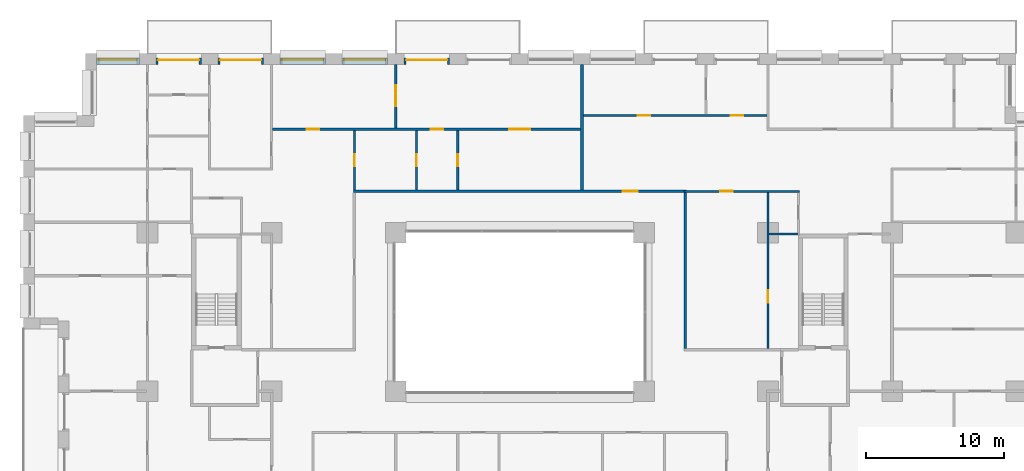
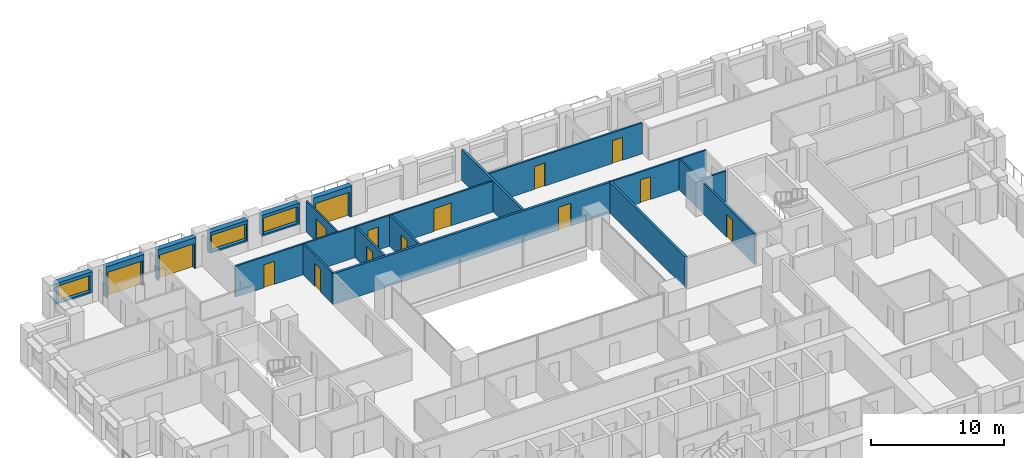
# One storey, part 14 of 20: 18 walls, 15 doors, 3 windows, 18 openings.
"""IFC4 building model written with IfcOpenShell, lengths in metres."""

from ifc_helpers import new_model, si_unit, direction, frame, frame_2d, origin, place, context, subcontext, project, spatial, rectangle, extrude, material, layer, layer_set, type_object, element, fill, save


model = new_model("IFC4")

# Units and contexts
model_context = context("Model", 3, precision=1e-05, world=origin(), true_north=direction((0.0, 1.0)))
body_context = subcontext(model_context, "Body", "Model", "MODEL_VIEW")
ifc_project = project(units=[si_unit("LENGTHUNIT", "METRE"), si_unit("AREAUNIT", "SQUARE_METRE"), si_unit("VOLUMEUNIT", "CUBIC_METRE"), si_unit("PLANEANGLEUNIT", "RADIAN"), si_unit("MASSUNIT", "GRAM", prefix="KILO")], contexts=[model_context])

# Site, building, storey
site_placement = place(None, origin())
site = spatial("IfcSite", under=ifc_project, at=site_placement, CompositionType="ELEMENT")
building_placement = place(site_placement, origin())
building = spatial("IfcBuilding", under=site, at=building_placement, Name="Brigalow Station Residences", CompositionType="ELEMENT")
storey_placement = place(building_placement, frame((0.0, 0.0, 60.449951171875)))
storey = spatial("IfcBuildingStorey", under=building, at=storey_placement, Name="L17", CompositionType="ELEMENT", Elevation=60.449951171875)

# Wall, opening, door
ifc_material_1 = material(Name="Clay brick masonry", Category="masonry")
ifc_layer_1 = layer(ifc_material_1, 0.449951171875)
ifc_layer_set_1 = layer_set([ifc_layer_1], Name="BRICK INFILL WALL 450")
wall_type_1 = type_object("IfcWallType", Name="BRICK INFILL WALL 450", PredefinedType="SOLIDWALL", material=ifc_layer_set_1)
wall_1_placement = place(storey_placement, frame((30.89990234375, 47.925048828125, 0.0), z_axis=(0.0, 0.0, 1.0), x_axis=(-1.0, 0.0, 0.0)))
wall_1 = element("IfcWall", 1, at=wall_1_placement, inside=storey, type_object=wall_type_1, Name="L17/ewall/W-L17-34", PredefinedType="SOLIDWALL", context=body_context, shape_type="SweptSolid", body=[
    extrude(rectangle(XDim=3.2998046875, YDim=0.449951171875, at=frame_2d((1.64990234375, 0.0))), origin(), (0.0, 0.0, 1.0), 2.830078125),
])
opening_1_placement = place(wall_1_placement, frame((0.14990234375, 0.0, 0.0)))
opening_1 = element("IfcOpeningElement", 2, at=opening_1_placement, cuts=wall_1, Name="Opening D-B3000", PredefinedType="OPENING", context=body_context, shape_type="SweptSolid", body=[
    extrude(rectangle(XDim=3.0, YDim=2.300048828125, at=frame_2d((1.5, 1.14990234375))), frame((0.0, 0.23486328125, 0.0), z_axis=(0.0, -1.0, 0.0), x_axis=(1.0, 0.0, 0.0)), (0.0, 0.0, 1.0), 0.469970703125),
])
ifc_material_2 = material(Name="Anodised aluminium frame with double glazing", Category="aluminium")
door_type_1 = type_object("IfcDoorType", Name="BALCONY SLIDING DOOR 3000x2300", OperationType="SLIDING_TO_LEFT", PredefinedType="DOOR", material=ifc_material_2)
door_1_placement = place(opening_1_placement, origin())
door_1 = element("IfcDoor", 3, at=door_1_placement, inside=storey, type_object=door_type_1, Name="L17/balcony-door/W-L17-34", OperationType="SLIDING_TO_LEFT", OverallHeight=2.300048828125, OverallWidth=3.0, PredefinedType="DOOR", context=body_context, shape_type="SweptSolid", body=[
    extrude(rectangle(XDim=3.0, YDim=2.300048828125, at=frame_2d((1.5, 1.14990234375))), frame((0.0, -0.06982421875, 0.0), z_axis=(0.0, -1.0, 0.0), x_axis=(1.0, 0.0, 0.0)), (0.0, 0.0, 1.0), 0.050048828125),
])
fill(opening_1, door_1)

# Wall, opening, window
wall_2_placement = place(storey_placement, frame((26.39990234375, 47.925048828125, 0.900146484375), z_axis=(0.0, 0.0, 1.0), x_axis=(-1.0, 0.0, 0.0)))
wall_2 = element("IfcWall", 4, at=wall_2_placement, inside=storey, type_object=wall_type_1, Name="L17/ewall/W-L17-35", PredefinedType="SOLIDWALL", context=body_context, shape_type="SweptSolid", body=[
    extrude(rectangle(XDim=3.2998046875, YDim=0.449951171875, at=frame_2d((1.64990234375, 0.0))), origin(), (0.0, 0.0, 1.0), 1.929931640625),
])
opening_2_placement = place(wall_2_placement, frame((0.14990234375, 0.0, 0.14990234375)))
opening_2 = element("IfcOpeningElement", 5, at=opening_2_placement, cuts=wall_2, Name="Opening WT-2", PredefinedType="OPENING", context=body_context, shape_type="SweptSolid", body=[
    extrude(rectangle(XDim=3.0, YDim=1.5, at=frame_2d((1.5, 0.75))), frame((0.0, 0.23486328125, 0.0), z_axis=(0.0, -1.0, 0.0), x_axis=(1.0, 0.0, 0.0)), (0.0, 0.0, 1.0), 0.469970703125),
])
ifc_material_3 = material(Name="Anodised aluminium frame with double glazing", Category="aluminium")
window_type_1 = type_object("IfcWindowType", Name="WINDOW 3000x1500", PartitioningType="SINGLE_PANEL", PredefinedType="WINDOW", material=ifc_material_3)
window_1_placement = place(opening_2_placement, origin())
window_1 = element("IfcWindow", 6, at=window_1_placement, inside=storey, type_object=window_type_1, Name="L17/window/W-L17-35", OverallHeight=1.5, OverallWidth=3.0, PartitioningType="SINGLE_PANEL", PredefinedType="WINDOW", context=body_context, shape_type="SweptSolid", body=[
    extrude(rectangle(XDim=3.0, YDim=1.5, at=frame_2d((1.5, 0.75))), frame((0.0, -0.06494140625, 0.0), z_axis=(0.0, -1.0, 0.0), x_axis=(1.0, 0.0, 0.0)), (0.0, 0.0, 1.0), 0.06005859375),
])
fill(opening_2, window_1)

wall_3_placement = place(storey_placement, frame((21.89990234375, 47.925048828125, 0.900146484375), z_axis=(0.0, 0.0, 1.0), x_axis=(-1.0, 0.0, 0.0)))
wall_3 = element("IfcWall", 7, at=wall_3_placement, inside=storey, type_object=wall_type_1, Name="L17/ewall/W-L17-36", PredefinedType="SOLIDWALL", context=body_context, shape_type="SweptSolid", body=[
    extrude(rectangle(XDim=3.2998046875, YDim=0.449951171875, at=frame_2d((1.64990234375, 0.0))), origin(), (0.0, 0.0, 1.0), 1.929931640625),
])
opening_3_placement = place(wall_3_placement, frame((0.14990234375, 0.0, 0.14990234375)))
opening_3 = element("IfcOpeningElement", 8, at=opening_3_placement, cuts=wall_3, Name="Opening WT-2", PredefinedType="OPENING", context=body_context, shape_type="SweptSolid", body=[
    extrude(rectangle(XDim=3.0, YDim=1.5, at=frame_2d((1.5, 0.75))), frame((0.0, 0.23486328125, 0.0), z_axis=(0.0, -1.0, 0.0), x_axis=(1.0, 0.0, 0.0)), (0.0, 0.0, 1.0), 0.469970703125),
])
window_2_placement = place(opening_3_placement, origin())
window_2 = element("IfcWindow", 9, at=window_2_placement, inside=storey, type_object=window_type_1, Name="L17/window/W-L17-36", OverallHeight=1.5, OverallWidth=3.0, PartitioningType="SINGLE_PANEL", PredefinedType="WINDOW", context=body_context, shape_type="SweptSolid", body=[
    extrude(rectangle(XDim=3.0, YDim=1.5, at=frame_2d((1.5, 0.75))), frame((0.0, -0.06494140625, 0.0), z_axis=(0.0, -1.0, 0.0), x_axis=(1.0, 0.0, 0.0)), (0.0, 0.0, 1.0), 0.06005859375),
])
fill(opening_3, window_2)

# Wall, opening, door
wall_4_placement = place(storey_placement, frame((17.39990234375, 47.925048828125, 0.0), z_axis=(0.0, 0.0, 1.0), x_axis=(-1.0, 0.0, 0.0)))
wall_4 = element("IfcWall", 10, at=wall_4_placement, inside=storey, type_object=wall_type_1, Name="L17/ewall/W-L17-37", PredefinedType="SOLIDWALL", context=body_context, shape_type="SweptSolid", body=[
    extrude(rectangle(XDim=3.2998046875, YDim=0.449951171875, at=frame_2d((1.64990234375, 0.0))), origin(), (0.0, 0.0, 1.0), 2.830078125),
])
opening_4_placement = place(wall_4_placement, frame((0.14990234375, 0.0, 0.0)))
opening_4 = element("IfcOpeningElement", 11, at=opening_4_placement, cuts=wall_4, Name="Opening D-B3000", PredefinedType="OPENING", context=body_context, shape_type="SweptSolid", body=[
    extrude(rectangle(XDim=3.0, YDim=2.300048828125, at=frame_2d((1.5, 1.14990234375))), frame((0.0, 0.23486328125, 0.0), z_axis=(0.0, -1.0, 0.0), x_axis=(1.0, 0.0, 0.0)), (0.0, 0.0, 1.0), 0.469970703125),
])
door_2_placement = place(opening_4_placement, origin())
door_2 = element("IfcDoor", 12, at=door_2_placement, inside=storey, type_object=door_type_1, Name="L17/balcony-door/W-L17-37", OperationType="SLIDING_TO_LEFT", OverallHeight=2.300048828125, OverallWidth=3.0, PredefinedType="DOOR", context=body_context, shape_type="SweptSolid", body=[
    extrude(rectangle(XDim=3.0, YDim=2.300048828125, at=frame_2d((1.5, 1.14990234375))), frame((0.0, -0.06982421875, 0.0), z_axis=(0.0, -1.0, 0.0), x_axis=(1.0, 0.0, 0.0)), (0.0, 0.0, 1.0), 0.050048828125),
])
fill(opening_4, door_2)

wall_5_placement = place(storey_placement, frame((12.89990234375, 47.925048828125, 0.0), z_axis=(0.0, 0.0, 1.0), x_axis=(-1.0, 0.0, 0.0)))
wall_5 = element("IfcWall", 13, at=wall_5_placement, inside=storey, type_object=wall_type_1, Name="L17/ewall/W-L17-38", PredefinedType="SOLIDWALL", context=body_context, shape_type="SweptSolid", body=[
    extrude(rectangle(XDim=3.2998046875, YDim=0.449951171875, at=frame_2d((1.64990234375, 0.0))), origin(), (0.0, 0.0, 1.0), 2.830078125),
])
opening_5_placement = place(wall_5_placement, frame((0.14990234375, 0.0, 0.0)))
opening_5 = element("IfcOpeningElement", 14, at=opening_5_placement, cuts=wall_5, Name="Opening D-B3000", PredefinedType="OPENING", context=body_context, shape_type="SweptSolid", body=[
    extrude(rectangle(XDim=3.0, YDim=2.300048828125, at=frame_2d((1.5, 1.14990234375))), frame((0.0, 0.23486328125, 0.0), z_axis=(0.0, -1.0, 0.0), x_axis=(1.0, 0.0, 0.0)), (0.0, 0.0, 1.0), 0.469970703125),
])
door_3_placement = place(opening_5_placement, origin())
door_3 = element("IfcDoor", 15, at=door_3_placement, inside=storey, type_object=door_type_1, Name="L17/balcony-door/W-L17-38", OperationType="SLIDING_TO_LEFT", OverallHeight=2.300048828125, OverallWidth=3.0, PredefinedType="DOOR", context=body_context, shape_type="SweptSolid", body=[
    extrude(rectangle(XDim=3.0, YDim=2.300048828125, at=frame_2d((1.5, 1.14990234375))), frame((0.0, -0.06982421875, 0.0), z_axis=(0.0, -1.0, 0.0), x_axis=(1.0, 0.0, 0.0)), (0.0, 0.0, 1.0), 0.050048828125),
])
fill(opening_5, door_3)

# Wall, opening, window
wall_6_placement = place(storey_placement, frame((8.39990234375, 47.925048828125, 0.900146484375), z_axis=(0.0, 0.0, 1.0), x_axis=(-1.0, 0.0, 0.0)))
wall_6 = element("IfcWall", 16, at=wall_6_placement, inside=storey, type_object=wall_type_1, Name="L17/ewall/W-L17-39", PredefinedType="SOLIDWALL", context=body_context, shape_type="SweptSolid", body=[
    extrude(rectangle(XDim=3.099853515625, YDim=0.449951171875, at=frame_2d((1.5498046875, 0.0))), origin(), (0.0, 0.0, 1.0), 1.929931640625),
])
opening_6_placement = place(wall_6_placement, frame((0.175048828125, 0.0, 0.14990234375)))
opening_6 = element("IfcOpeningElement", 17, at=opening_6_placement, cuts=wall_6, Name="Opening WT-3", PredefinedType="OPENING", context=body_context, shape_type="SweptSolid", body=[
    extrude(rectangle(XDim=2.75, YDim=1.5, at=frame_2d((1.375, 0.75))), frame((0.0, 0.23486328125, 0.0), z_axis=(0.0, -1.0, 0.0), x_axis=(1.0, 0.0, 0.0)), (0.0, 0.0, 1.0), 0.469970703125),
])
ifc_material_4 = material(Name="Anodised aluminium frame with double glazing", Category="aluminium")
window_type_2 = type_object("IfcWindowType", Name="WINDOW 2750x1500", PartitioningType="SINGLE_PANEL", PredefinedType="WINDOW", material=ifc_material_4)
window_3_placement = place(opening_6_placement, origin())
window_3 = element("IfcWindow", 18, at=window_3_placement, inside=storey, type_object=window_type_2, Name="L17/window/W-L17-39", OverallHeight=1.5, OverallWidth=2.75, PartitioningType="SINGLE_PANEL", PredefinedType="WINDOW", context=body_context, shape_type="SweptSolid", body=[
    extrude(rectangle(XDim=2.75, YDim=1.5, at=frame_2d((1.375, 0.75))), frame((0.0, -0.06494140625, 0.0), z_axis=(0.0, -1.0, 0.0), x_axis=(1.0, 0.0, 0.0)), (0.0, 0.0, 1.0), 0.06005859375),
])
fill(opening_6, window_3)

# Wall, opening, door
ifc_material_5 = material(Name="Plasterboard on steel stud partition", Category="steel")
ifc_layer_2 = layer(ifc_material_5, 0.14990234375)
ifc_layer_set_2 = layer_set([ifc_layer_2], Name="FLAT PARTITION 150")
wall_type_2 = type_object("IfcWallType", Name="FLAT PARTITION 150", PredefinedType="PARTITIONING", material=ifc_layer_set_2)
wall_7_placement = place(storey_placement, frame((47.89990234375, 38.5, 0.0), z_axis=(0.0, 0.0, 1.0), x_axis=(1.0, 0.0, 0.0)))
wall_7 = element("IfcWall", 19, at=wall_7_placement, inside=storey, type_object=wall_type_2, Name="PW-1F09", PredefinedType="PARTITIONING", context=body_context, shape_type="SweptSolid", body=[
    extrude(rectangle(XDim=8.375, YDim=0.14990234375, at=frame_2d((4.1875, 0.0))), origin(), (0.0, 0.0, 1.0), 2.830078125),
])
opening_7_placement = place(wall_7_placement, frame((2.64990234375, 0.0, 0.0)))
opening_7 = element("IfcOpeningElement", 20, at=opening_7_placement, cuts=wall_7, Name="Opening D-1F42", PredefinedType="OPENING", context=body_context, shape_type="SweptSolid", body=[
    extrude(rectangle(XDim=0.89990234375, YDim=2.10009765625, at=frame_2d((0.449951171875, 1.050048828125))), frame((0.0, 0.0849609375, 0.0), z_axis=(0.0, -1.0, 0.0), x_axis=(1.0, 0.0, 0.0)), (0.0, 0.0, 1.0), 0.169921875),
])
ifc_material_6 = material(Name="Solid-core timber door leaf", Category="wood")
door_type_2 = type_object("IfcDoorType", Name="INTERNAL DOOR 900 x 2100", OperationType="SINGLE_SWING_LEFT", PredefinedType="DOOR", material=ifc_material_6)
door_4_placement = place(opening_7_placement, frame((0.89990234375, 0.0, 0.0), z_axis=(0.0, 0.0, 1.0), x_axis=(-1.0, 0.0, 0.0)))
door_4 = element("IfcDoor", 21, at=door_4_placement, inside=storey, type_object=door_type_2, Name="D-1F42", OperationType="SINGLE_SWING_RIGHT", OverallHeight=2.10009765625, OverallWidth=0.89990234375, PredefinedType="DOOR", context=body_context, shape_type="SweptSolid", body=[
    extrude(rectangle(XDim=0.89990234375, YDim=2.10009765625, at=frame_2d((0.449951171875, 1.050048828125))), frame((0.0, 0.02490234375, 0.0), z_axis=(0.0, -1.0, 0.0), x_axis=(1.0, 0.0, 0.0)), (0.0, 0.0, 1.0), 0.050048828125),
])
fill(opening_7, door_4)

# Wall, openings, doors
wall_8_placement = place(storey_placement, frame((18.074951171875, 43.0, 0.0), z_axis=(0.0, 0.0, 1.0), x_axis=(1.0, 0.0, 0.0)))
wall_8 = element("IfcWall", 22, at=wall_8_placement, inside=storey, type_object=wall_type_2, Name="PW-1F22", PredefinedType="PARTITIONING", context=body_context, shape_type="SweptSolid", body=[
    extrude(rectangle(XDim=22.324951171875, YDim=0.14990234375, at=frame_2d((11.16259765625, 0.0))), origin(), (0.0, 0.0, 1.0), 2.830078125),
])
opening_8_placement = place(wall_8_placement, frame((17.175048828125, 0.0, 0.0)))
opening_8 = element("IfcOpeningElement", 23, at=opening_8_placement, cuts=wall_8, Name="Opening D-1F22", PredefinedType="OPENING", context=body_context, shape_type="SweptSolid", body=[
    extrude(rectangle(XDim=1.5, YDim=2.10009765625, at=frame_2d((0.75, 1.050048828125))), frame((0.0, 0.0849609375, 0.0), z_axis=(0.0, -1.0, 0.0), x_axis=(1.0, 0.0, 0.0)), (0.0, 0.0, 1.0), 0.169921875),
])
opening_9_placement = place(wall_8_placement, frame((11.47509765625, 0.0, 0.0)))
opening_9 = element("IfcOpeningElement", 24, at=opening_9_placement, cuts=wall_8, Name="Opening D-1F24", PredefinedType="OPENING", context=body_context, shape_type="SweptSolid", body=[
    extrude(rectangle(XDim=0.89990234375, YDim=2.10009765625, at=frame_2d((0.449951171875, 1.050048828125))), frame((0.0, 0.0849609375, 0.0), z_axis=(0.0, -1.0, 0.0), x_axis=(1.0, 0.0, 0.0)), (0.0, 0.0, 1.0), 0.169921875),
])
opening_10_placement = place(wall_8_placement, frame((2.47509765625, 0.0, 0.0)))
opening_10 = element("IfcOpeningElement", 25, at=opening_10_placement, cuts=wall_8, Name="Opening D-1F30", PredefinedType="OPENING", context=body_context, shape_type="SweptSolid", body=[
    extrude(rectangle(XDim=0.89990234375, YDim=2.10009765625, at=frame_2d((0.449951171875, 1.050048828125))), frame((0.0, 0.0849609375, 0.0), z_axis=(0.0, -1.0, 0.0), x_axis=(1.0, 0.0, 0.0)), (0.0, 0.0, 1.0), 0.169921875),
])
door_5_placement = place(opening_9_placement, frame((0.89990234375, 0.0, 0.0), z_axis=(0.0, 0.0, 1.0), x_axis=(-1.0, 0.0, 0.0)))
door_5 = element("IfcDoor", 26, at=door_5_placement, inside=storey, type_object=door_type_2, Name="D-1F24", OperationType="SINGLE_SWING_RIGHT", OverallHeight=2.10009765625, OverallWidth=0.89990234375, PredefinedType="DOOR", context=body_context, shape_type="SweptSolid", body=[
    extrude(rectangle(XDim=0.89990234375, YDim=2.10009765625, at=frame_2d((0.449951171875, 1.050048828125))), frame((0.0, 0.02490234375, 0.0), z_axis=(0.0, -1.0, 0.0), x_axis=(1.0, 0.0, 0.0)), (0.0, 0.0, 1.0), 0.050048828125),
])
fill(opening_9, door_5)
door_6_placement = place(opening_10_placement, origin())
door_6 = element("IfcDoor", 27, at=door_6_placement, inside=storey, type_object=door_type_2, Name="D-1F30", OperationType="SINGLE_SWING_LEFT", OverallHeight=2.10009765625, OverallWidth=0.89990234375, PredefinedType="DOOR", context=body_context, shape_type="SweptSolid", body=[
    extrude(rectangle(XDim=0.89990234375, YDim=2.10009765625, at=frame_2d((0.449951171875, 1.050048828125))), frame((0.0, 0.02490234375, 0.0), z_axis=(0.0, -1.0, 0.0), x_axis=(1.0, 0.0, 0.0)), (0.0, 0.0, 1.0), 0.050048828125),
])
fill(opening_10, door_6)
ifc_material_7 = material(Name="Solid-core timber door leaf", Category="wood")
door_type_3 = type_object("IfcDoorType", Name="INTERNAL DOUBLE DOOR 1500 x 2100", OperationType="DOUBLE_DOOR_SINGLE_SWING", PredefinedType="DOOR", material=ifc_material_7)
door_7_placement = place(opening_8_placement, frame((1.5, 0.0, 0.0), z_axis=(0.0, 0.0, 1.0), x_axis=(-1.0, 0.0, 0.0)))
door_7 = element("IfcDoor", 28, at=door_7_placement, inside=storey, type_object=door_type_3, Name="D-1F22", OperationType="DOUBLE_DOOR_SINGLE_SWING", OverallHeight=2.10009765625, OverallWidth=1.5, PredefinedType="DOOR", context=body_context, shape_type="SweptSolid", body=[
    extrude(rectangle(XDim=1.5, YDim=2.10009765625, at=frame_2d((0.75, 1.050048828125))), frame((0.0, 0.02490234375, 0.0), z_axis=(0.0, -1.0, 0.0), x_axis=(1.0, 0.0, 0.0)), (0.0, 0.0, 1.0), 0.050048828125),
])
fill(opening_8, door_7)

# Wall
wall_9_placement = place(storey_placement, frame((54.074951171875, 35.39990234375, 0.0), z_axis=(0.0, 0.0, 1.0), x_axis=(1.0, 0.0, 0.0)))
element("IfcWall", 29, at=wall_9_placement, inside=storey, type_object=wall_type_2, Name="PW-1F26", PredefinedType="PARTITIONING", context=body_context, shape_type="SweptSolid", body=[
    extrude(rectangle(XDim=2.125, YDim=0.14990234375, at=frame_2d((1.0625, 0.0))), origin(), (0.0, 0.0, 1.0), 2.830078125),
])

# Wall, openings, doors
wall_10_placement = place(storey_placement, frame((40.60009765625, 44.0, 0.0), z_axis=(0.0, 0.0, 1.0), x_axis=(1.0, 0.0, 0.0)))
wall_10 = element("IfcWall", 30, at=wall_10_placement, inside=storey, type_object=wall_type_2, Name="PW-1F35", PredefinedType="PARTITIONING", context=body_context, shape_type="SweptSolid", body=[
    extrude(rectangle(XDim=13.324951171875, YDim=0.14990234375, at=frame_2d((6.66259765625, 0.0))), origin(), (0.0, 0.0, 1.0), 2.830078125),
])
opening_11_placement = place(wall_10_placement, frame((10.699951171875, 0.0, 0.0)))
opening_11 = element("IfcOpeningElement", 31, at=opening_11_placement, cuts=wall_10, Name="Opening D-1F39", PredefinedType="OPENING", context=body_context, shape_type="SweptSolid", body=[
    extrude(rectangle(XDim=0.89990234375, YDim=2.10009765625, at=frame_2d((0.449951171875, 1.050048828125))), frame((0.0, 0.0849609375, 0.0), z_axis=(0.0, -1.0, 0.0), x_axis=(1.0, 0.0, 0.0)), (0.0, 0.0, 1.0), 0.169921875),
])
opening_12_placement = place(wall_10_placement, frame((3.949951171875, 0.0, 0.0)))
opening_12 = element("IfcOpeningElement", 32, at=opening_12_placement, cuts=wall_10, Name="Opening D-1F43", PredefinedType="OPENING", context=body_context, shape_type="SweptSolid", body=[
    extrude(rectangle(XDim=0.89990234375, YDim=2.10009765625, at=frame_2d((0.449951171875, 1.050048828125))), frame((0.0, 0.0849609375, 0.0), z_axis=(0.0, -1.0, 0.0), x_axis=(1.0, 0.0, 0.0)), (0.0, 0.0, 1.0), 0.169921875),
])
door_8_placement = place(opening_11_placement, origin())
door_8 = element("IfcDoor", 33, at=door_8_placement, inside=storey, type_object=door_type_2, Name="D-1F39", OperationType="SINGLE_SWING_RIGHT", OverallHeight=2.10009765625, OverallWidth=0.89990234375, PredefinedType="DOOR", context=body_context, shape_type="SweptSolid", body=[
    extrude(rectangle(XDim=0.89990234375, YDim=2.10009765625, at=frame_2d((0.449951171875, 1.050048828125))), frame((0.0, 0.02490234375, 0.0), z_axis=(0.0, -1.0, 0.0), x_axis=(1.0, 0.0, 0.0)), (0.0, 0.0, 1.0), 0.050048828125),
])
fill(opening_11, door_8)
door_9_placement = place(opening_12_placement, origin())
door_9 = element("IfcDoor", 34, at=door_9_placement, inside=storey, type_object=door_type_2, Name="D-1F43", OperationType="SINGLE_SWING_LEFT", OverallHeight=2.10009765625, OverallWidth=0.89990234375, PredefinedType="DOOR", context=body_context, shape_type="SweptSolid", body=[
    extrude(rectangle(XDim=0.89990234375, YDim=2.10009765625, at=frame_2d((0.449951171875, 1.050048828125))), frame((0.0, 0.02490234375, 0.0), z_axis=(0.0, -1.0, 0.0), x_axis=(1.0, 0.0, 0.0)), (0.0, 0.0, 1.0), 0.050048828125),
])
fill(opening_12, door_9)

# Wall, opening, door
wall_11_placement = place(storey_placement, frame((54.0, 27.10009765625, 0.0), z_axis=(0.0, 0.0, 1.0), x_axis=(0.0, 1.0, 0.0)))
wall_11 = element("IfcWall", 35, at=wall_11_placement, inside=storey, type_object=wall_type_2, Name="PW-1F41", PredefinedType="PARTITIONING", context=body_context, shape_type="SweptSolid", body=[
    extrude(rectangle(XDim=11.324951171875, YDim=0.14990234375, at=frame_2d((5.66259765625, 0.0))), origin(), (0.0, 0.0, 1.0), 2.830078125),
])
opening_13_placement = place(wall_11_placement, frame((3.324951171875, 0.0, 0.0)))
opening_13 = element("IfcOpeningElement", 36, at=opening_13_placement, cuts=wall_11, Name="Opening D-1F49", PredefinedType="OPENING", context=body_context, shape_type="SweptSolid", body=[
    extrude(rectangle(XDim=0.89990234375, YDim=2.10009765625, at=frame_2d((0.449951171875, 1.050048828125))), frame((0.0, 0.0849609375, 0.0), z_axis=(0.0, -1.0, 0.0), x_axis=(1.0, 0.0, 0.0)), (0.0, 0.0, 1.0), 0.169921875),
])
door_10_placement = place(opening_13_placement, frame((0.89990234375, 0.0, 0.0), z_axis=(0.0, 0.0, 1.0), x_axis=(-1.0, 0.0, 0.0)))
door_10 = element("IfcDoor", 37, at=door_10_placement, inside=storey, type_object=door_type_2, Name="D-1F49", OperationType="SINGLE_SWING_RIGHT", OverallHeight=2.10009765625, OverallWidth=0.89990234375, PredefinedType="DOOR", context=body_context, shape_type="SweptSolid", body=[
    extrude(rectangle(XDim=0.89990234375, YDim=2.10009765625, at=frame_2d((0.449951171875, 1.050048828125))), frame((0.0, 0.02490234375, 0.0), z_axis=(0.0, -1.0, 0.0), x_axis=(1.0, 0.0, 0.0)), (0.0, 0.0, 1.0), 0.050048828125),
])
fill(opening_13, door_10)

wall_12_placement = place(storey_placement, frame((24.0, 38.60009765625, 0.0), z_axis=(0.0, 0.0, 1.0), x_axis=(0.0, 1.0, 0.0)))
wall_12 = element("IfcWall", 38, at=wall_12_placement, inside=storey, type_object=wall_type_2, Name="PW-1F46", PredefinedType="PARTITIONING", context=body_context, shape_type="SweptSolid", body=[
    extrude(rectangle(XDim=4.324951171875, YDim=0.14990234375, at=frame_2d((2.16259765625, 0.0))), origin(), (0.0, 0.0, 1.0), 2.830078125),
])
opening_14_placement = place(wall_12_placement, frame((1.699951171875, 0.0, 0.0)))
opening_14 = element("IfcOpeningElement", 39, at=opening_14_placement, cuts=wall_12, Name="Opening D-1F28", PredefinedType="OPENING", context=body_context, shape_type="SweptSolid", body=[
    extrude(rectangle(XDim=0.89990234375, YDim=2.10009765625, at=frame_2d((0.449951171875, 1.050048828125))), frame((0.0, 0.0849609375, 0.0), z_axis=(0.0, -1.0, 0.0), x_axis=(1.0, 0.0, 0.0)), (0.0, 0.0, 1.0), 0.169921875),
])
door_11_placement = place(opening_14_placement, frame((0.89990234375, 0.0, 0.0), z_axis=(0.0, 0.0, 1.0), x_axis=(-1.0, 0.0, 0.0)))
door_11 = element("IfcDoor", 40, at=door_11_placement, inside=storey, type_object=door_type_2, Name="D-1F28", OperationType="SINGLE_SWING_RIGHT", OverallHeight=2.10009765625, OverallWidth=0.89990234375, PredefinedType="DOOR", context=body_context, shape_type="SweptSolid", body=[
    extrude(rectangle(XDim=0.89990234375, YDim=2.10009765625, at=frame_2d((0.449951171875, 1.050048828125))), frame((0.0, 0.02490234375, 0.0), z_axis=(0.0, -1.0, 0.0), x_axis=(1.0, 0.0, 0.0)), (0.0, 0.0, 1.0), 0.050048828125),
])
fill(opening_14, door_11)

wall_13_placement = place(storey_placement, frame((27.0, 43.074951171875, 0.0), z_axis=(0.0, 0.0, 1.0), x_axis=(0.0, 1.0, 0.0)))
wall_13 = element("IfcWall", 41, at=wall_13_placement, inside=storey, type_object=wall_type_2, Name="PW-1F64", PredefinedType="PARTITIONING", context=body_context, shape_type="SweptSolid", body=[
    extrude(rectangle(XDim=4.625, YDim=0.14990234375, at=frame_2d((2.3125, 0.0))), origin(), (0.0, 0.0, 1.0), 2.830078125),
])
opening_15_placement = place(wall_13_placement, frame((1.60009765625, 0.0, 0.0)))
opening_15 = element("IfcOpeningElement", 42, at=opening_15_placement, cuts=wall_13, Name="Opening D-1F23", PredefinedType="OPENING", context=body_context, shape_type="SweptSolid", body=[
    extrude(rectangle(XDim=1.5, YDim=2.10009765625, at=frame_2d((0.75, 1.050048828125))), frame((0.0, 0.0849609375, 0.0), z_axis=(0.0, -1.0, 0.0), x_axis=(1.0, 0.0, 0.0)), (0.0, 0.0, 1.0), 0.169921875),
])
door_12_placement = place(opening_15_placement, origin())
door_12 = element("IfcDoor", 43, at=door_12_placement, inside=storey, type_object=door_type_3, Name="D-1F23", OperationType="DOUBLE_DOOR_SINGLE_SWING", OverallHeight=2.10009765625, OverallWidth=1.5, PredefinedType="DOOR", context=body_context, shape_type="SweptSolid", body=[
    extrude(rectangle(XDim=1.5, YDim=2.10009765625, at=frame_2d((0.75, 1.050048828125))), frame((0.0, 0.02490234375, 0.0), z_axis=(0.0, -1.0, 0.0), x_axis=(1.0, 0.0, 0.0)), (0.0, 0.0, 1.0), 0.050048828125),
])
fill(opening_15, door_12)

wall_14_placement = place(storey_placement, frame((28.5, 38.60009765625, 0.0), z_axis=(0.0, 0.0, 1.0), x_axis=(0.0, 1.0, 0.0)))
wall_14 = element("IfcWall", 44, at=wall_14_placement, inside=storey, type_object=wall_type_2, Name="PW-1F65", PredefinedType="PARTITIONING", context=body_context, shape_type="SweptSolid", body=[
    extrude(rectangle(XDim=4.324951171875, YDim=0.14990234375, at=frame_2d((2.16259765625, 0.0))), origin(), (0.0, 0.0, 1.0), 2.830078125),
])
opening_16_placement = place(wall_14_placement, frame((1.699951171875, 0.0, 0.0)))
opening_16 = element("IfcOpeningElement", 45, at=opening_16_placement, cuts=wall_14, Name="Opening D-1F34", PredefinedType="OPENING", context=body_context, shape_type="SweptSolid", body=[
    extrude(rectangle(XDim=0.89990234375, YDim=2.10009765625, at=frame_2d((0.449951171875, 1.050048828125))), frame((0.0, 0.0849609375, 0.0), z_axis=(0.0, -1.0, 0.0), x_axis=(1.0, 0.0, 0.0)), (0.0, 0.0, 1.0), 0.169921875),
])
door_13_placement = place(opening_16_placement, frame((0.89990234375, 0.0, 0.0), z_axis=(0.0, 0.0, 1.0), x_axis=(-1.0, 0.0, 0.0)))
door_13 = element("IfcDoor", 46, at=door_13_placement, inside=storey, type_object=door_type_2, Name="D-1F34", OperationType="SINGLE_SWING_RIGHT", OverallHeight=2.10009765625, OverallWidth=0.89990234375, PredefinedType="DOOR", context=body_context, shape_type="SweptSolid", body=[
    extrude(rectangle(XDim=0.89990234375, YDim=2.10009765625, at=frame_2d((0.449951171875, 1.050048828125))), frame((0.0, 0.02490234375, 0.0), z_axis=(0.0, -1.0, 0.0), x_axis=(1.0, 0.0, 0.0)), (0.0, 0.0, 1.0), 0.050048828125),
])
fill(opening_16, door_13)

wall_15_placement = place(storey_placement, frame((31.5, 38.60009765625, 0.0), z_axis=(0.0, 0.0, 1.0), x_axis=(0.0, 1.0, 0.0)))
wall_15 = element("IfcWall", 47, at=wall_15_placement, inside=storey, type_object=wall_type_2, Name="PW-1F67", PredefinedType="PARTITIONING", context=body_context, shape_type="SweptSolid", body=[
    extrude(rectangle(XDim=4.324951171875, YDim=0.14990234375, at=frame_2d((2.16259765625, 0.0))), origin(), (0.0, 0.0, 1.0), 2.830078125),
])
opening_17_placement = place(wall_15_placement, frame((1.699951171875, 0.0, 0.0)))
opening_17 = element("IfcOpeningElement", 48, at=opening_17_placement, cuts=wall_15, Name="Opening D-1F35", PredefinedType="OPENING", context=body_context, shape_type="SweptSolid", body=[
    extrude(rectangle(XDim=0.89990234375, YDim=2.10009765625, at=frame_2d((0.449951171875, 1.050048828125))), frame((0.0, 0.0849609375, 0.0), z_axis=(0.0, -1.0, 0.0), x_axis=(1.0, 0.0, 0.0)), (0.0, 0.0, 1.0), 0.169921875),
])
door_14_placement = place(opening_17_placement, origin())
door_14 = element("IfcDoor", 49, at=door_14_placement, inside=storey, type_object=door_type_2, Name="D-1F35", OperationType="SINGLE_SWING_LEFT", OverallHeight=2.10009765625, OverallWidth=0.89990234375, PredefinedType="DOOR", context=body_context, shape_type="SweptSolid", body=[
    extrude(rectangle(XDim=0.89990234375, YDim=2.10009765625, at=frame_2d((0.449951171875, 1.050048828125))), frame((0.0, 0.02490234375, 0.0), z_axis=(0.0, -1.0, 0.0), x_axis=(1.0, 0.0, 0.0)), (0.0, 0.0, 1.0), 0.050048828125),
])
fill(opening_17, door_14)

ifc_material_8 = material(Name="Plasterboard on steel stud partition", Category="steel")
ifc_layer_3 = layer(ifc_material_8, 0.199951171875)
ifc_layer_set_3 = layer_set([ifc_layer_3], Name="PARTY AND CORRIDOR WALL 200")
wall_type_3 = type_object("IfcWallType", Name="PARTY AND CORRIDOR WALL 200", PredefinedType="PARTITIONING", material=ifc_layer_set_3)
wall_16_placement = place(storey_placement, frame((23.925048828125, 38.5, 0.0), z_axis=(0.0, 0.0, 1.0), x_axis=(1.0, 0.0, 0.0)))
wall_16 = element("IfcWall", 50, at=wall_16_placement, inside=storey, type_object=wall_type_3, Name="PW-1F10", PredefinedType="PARTITIONING", context=body_context, shape_type="SweptSolid", body=[
    extrude(rectangle(XDim=24.175048828125, YDim=0.199951171875, at=frame_2d((12.08740234375, 0.0))), origin(), (0.0, 0.0, 1.0), 2.830078125),
])
opening_18_placement = place(wall_16_placement, frame((19.52490234375, 0.0, 0.0)))
opening_18 = element("IfcOpeningElement", 51, at=opening_18_placement, cuts=wall_16, Name="Opening D-1F51", PredefinedType="OPENING", context=body_context, shape_type="SweptSolid", body=[
    extrude(rectangle(XDim=1.10009765625, YDim=2.10009765625, at=frame_2d((0.550048828125, 1.050048828125))), frame((0.0, 0.10986328125, 0.0), z_axis=(0.0, -1.0, 0.0), x_axis=(1.0, 0.0, 0.0)), (0.0, 0.0, 1.0), 0.219970703125),
])
ifc_material_9 = material(Name="Solid-core timber door leaf", Category="wood")
door_type_4 = type_object("IfcDoorType", Name="FLAT ENTRANCE DOOR 1100 x 2100 FRL -/60/30", OperationType="SINGLE_SWING_LEFT", PredefinedType="DOOR", material=ifc_material_9)
door_15_placement = place(opening_18_placement, origin())
door_15 = element("IfcDoor", 52, at=door_15_placement, inside=storey, type_object=door_type_4, Name="D-1F51", OperationType="SINGLE_SWING_LEFT", OverallHeight=2.10009765625, OverallWidth=1.10009765625, PredefinedType="DOOR", context=body_context, shape_type="SweptSolid", body=[
    extrude(rectangle(XDim=1.10009765625, YDim=2.10009765625, at=frame_2d((0.550048828125, 1.050048828125))), frame((0.0, 0.02490234375, 0.0), z_axis=(0.0, -1.0, 0.0), x_axis=(1.0, 0.0, 0.0)), (0.0, 0.0, 1.0), 0.050048828125),
])
fill(opening_18, door_15)

# Walls
wall_17_placement = place(storey_placement, frame((48.0, 27.10009765625, 0.0), z_axis=(0.0, 0.0, 1.0), x_axis=(0.0, 1.0, 0.0)))
element("IfcWall", 53, at=wall_17_placement, inside=storey, type_object=wall_type_3, Name="PW-1F48", PredefinedType="PARTITIONING", context=body_context, shape_type="SweptSolid", body=[
    extrude(rectangle(XDim=11.324951171875, YDim=0.199951171875, at=frame_2d((5.66259765625, 0.0))), origin(), (0.0, 0.0, 1.0), 2.830078125),
])
wall_18_placement = place(storey_placement, frame((40.5, 38.60009765625, 0.0), z_axis=(0.0, 0.0, 1.0), x_axis=(0.0, 1.0, 0.0)))
element("IfcWall", 54, at=wall_18_placement, inside=storey, type_object=wall_type_3, Name="PW-1F68", PredefinedType="PARTITIONING", context=body_context, shape_type="SweptSolid", body=[
    extrude(rectangle(XDim=9.099853515625, YDim=0.199951171875, at=frame_2d((4.5498046875, 0.0))), origin(), (0.0, 0.0, 1.0), 2.830078125),
])

save(model, "model.ifc")
